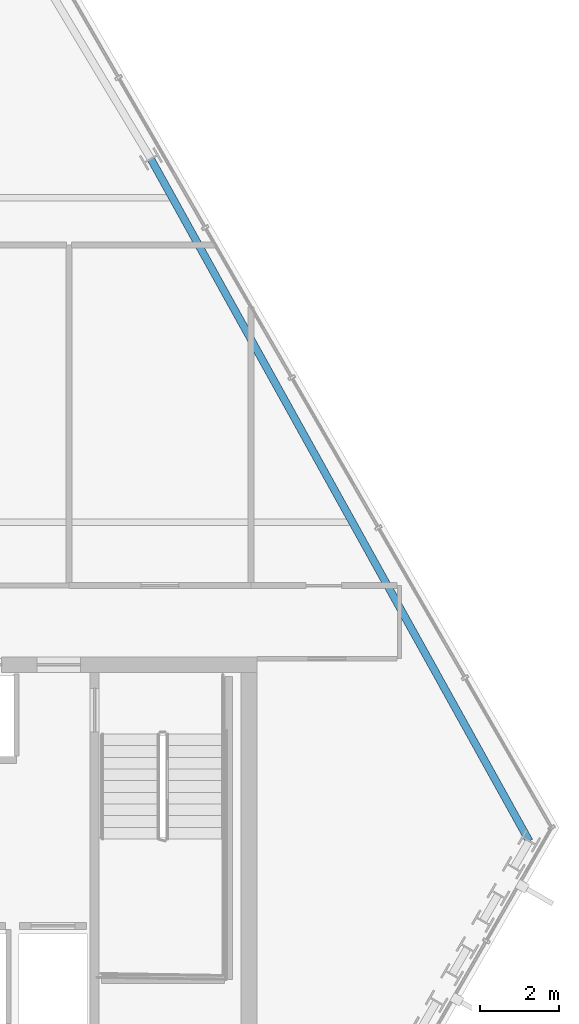
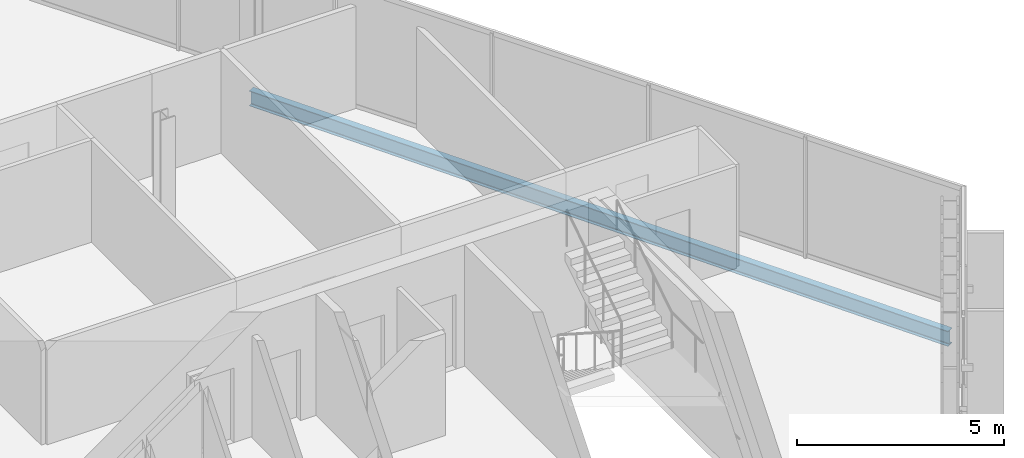
# One storey, part 16 of 29: 1 beam.
"""IFC4 building model written with IfcOpenShell, lengths in metres."""

from ifc_helpers import new_model, si_unit, direction, frame, origin, origin_2d, place, context, subcontext, project, spatial, i_section, extrude, material, material_profile, profile_set, type_object, element, save


model = new_model("IFC4")

# Units and contexts
model_context = context("Model", 3, precision=1e-05, world=origin(), true_north=direction((0.0, 1.0)))
body_context = subcontext(model_context, "Body", "Model", "MODEL_VIEW")
ifc_project = project(units=[si_unit("LENGTHUNIT", "METRE"), si_unit("AREAUNIT", "SQUARE_METRE"), si_unit("VOLUMEUNIT", "CUBIC_METRE"), si_unit("PLANEANGLEUNIT", "RADIAN"), si_unit("MASSUNIT", "GRAM", prefix="KILO")], contexts=[model_context])

# Site, building, storey
site_placement = place(None, origin())
site = spatial("IfcSite", under=ifc_project, at=site_placement, CompositionType="ELEMENT")
building_placement = place(site_placement, origin())
building = spatial("IfcBuilding", under=site, at=building_placement, Name="Ndaravel Arena Tower", CompositionType="ELEMENT")
storey_placement = place(building_placement, frame((0.0, 0.0, 244.60009765625)))
storey = spatial("IfcBuildingStorey", under=building, at=storey_placement, Name="L59", CompositionType="ELEMENT", Elevation=244.60009765625)

# Beam
ifc_material = material(Name="Steel S355", Category="steel")
ifc_material_profile = material_profile(ifc_material, i_section(OverallWidth=0.18994140625, OverallDepth=0.449951171875, WebThickness=0.009521484375, FlangeThickness=0.0146484375, FilletRadius=0.02099609375, at=origin_2d()), Name="IPE 450")
ifc_profile_set = profile_set([ifc_material_profile], Name="Steel S355")
beam_type = type_object("IfcBeamType", Name="BM-SPAN-IPE450", PredefinedType="SPANDREL", material=ifc_profile_set)
beam_placement = place(storey_placement, frame((64.43115234375, 10.54443359375, -0.445068359375), z_axis=(-0.485083189334, 0.874468009378, 0.0), x_axis=(-0.874468009378, -0.485083189334, 0.0)))
element("IfcBeam", 1, at=beam_placement, inside=storey, type_object=beam_type, Name="L59 Perimeter Spandrel Beam SP-09", PredefinedType="SPANDREL", context=body_context, shape_type="SweptSolid", body=[
    extrude(i_section(OverallWidth=0.18994140625, OverallDepth=0.449951171875, WebThickness=0.009521484375, FlangeThickness=0.0146484375, FilletRadius=0.02099609375, at=origin_2d()), origin(), (0.0, 0.0, 1.0), 19.705078125),
])

save(model, "model.ifc")
